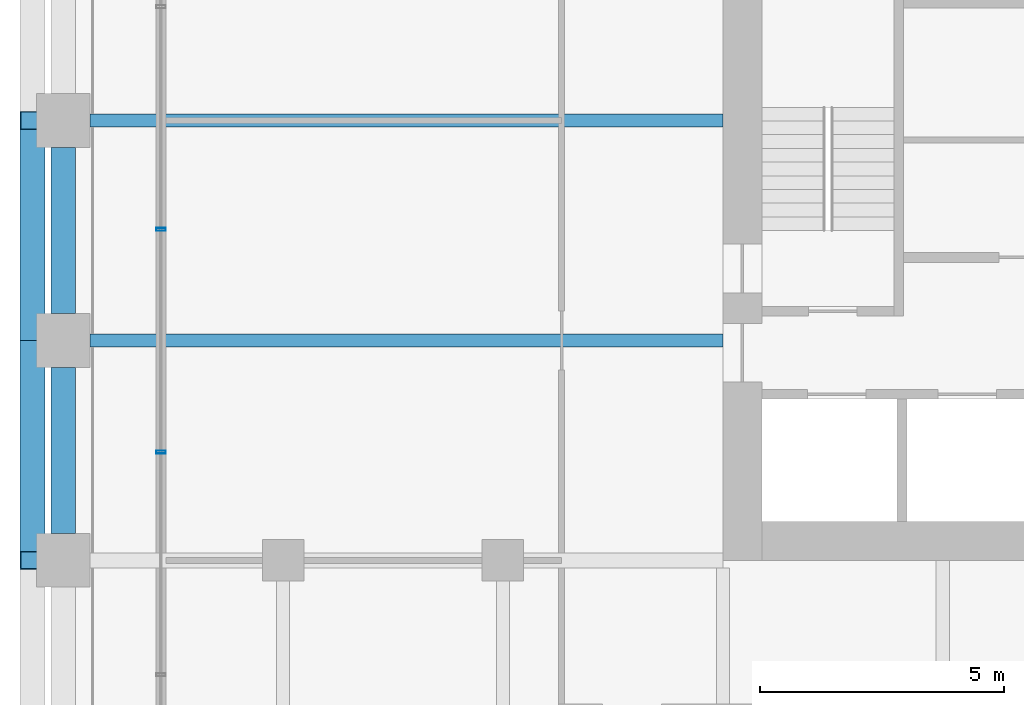
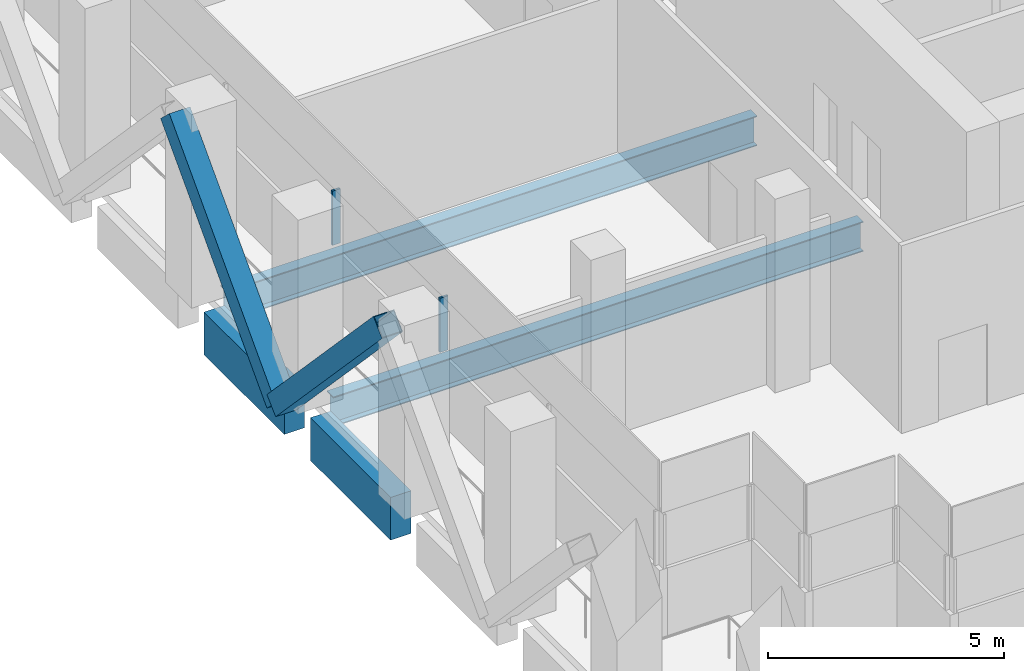
# One storey, part 8 of 44: 4 beams, 4 members, 1 element without a shape of its own.
"""IFC4 building model written with IfcOpenShell, lengths in metres."""

from ifc_helpers import new_model, si_unit, direction, frame, origin, origin_2d, place, context, subcontext, project, spatial, rectangle, hollow_rectangle, i_section, extrude, material, material_profile, profile_set, type_object, element, aggregate, save


model = new_model("IFC4")

# Units and contexts
model_context = context("Model", 3, precision=1e-05, world=origin(), true_north=direction((0.0, 1.0)))
body_context = subcontext(model_context, "Body", "Model", "MODEL_VIEW")
ifc_project = project(units=[si_unit("LENGTHUNIT", "METRE"), si_unit("AREAUNIT", "SQUARE_METRE"), si_unit("VOLUMEUNIT", "CUBIC_METRE"), si_unit("PLANEANGLEUNIT", "RADIAN"), si_unit("MASSUNIT", "GRAM", prefix="KILO")], contexts=[model_context])

# Site, building, storey
site_placement = place(None, origin())
site = spatial("IfcSite", under=ifc_project, at=site_placement, CompositionType="ELEMENT")
building_placement = place(site_placement, origin())
building = spatial("IfcBuilding", under=site, at=building_placement, Name="Altepetl Exchange Towers", CompositionType="ELEMENT")
storey_placement = place(building_placement, frame((0.0, 0.0, 87.0)))
storey = spatial("IfcBuildingStorey", under=building, at=storey_placement, Name="L21 Refuge", CompositionType="ELEMENT", Elevation=87.0)

# Members
ifc_material_1 = material(Name="Steel S355", Category="steel")
ifc_material_profile_1 = material_profile(ifc_material_1, hollow_rectangle(XDim=0.508056640625, YDim=0.508056640625, WallThickness=0.017578125, at=origin_2d()), Name="HSS508X508X19.0")
ifc_profile_set_1 = profile_set([ifc_material_profile_1], Name="Steel S355")
member_type_1 = type_object("IfcMemberType", Name="Belt diagonal HSS508X508X19.0", PredefinedType="BRACE", material=ifc_profile_set_1)
for number, where, z_axis, x_axis, name in (
    (1, (26.3701171875, 49.5, 4.75), (0.0, -0.687744647911, -0.725952683906), (1.0, 0.0, 0.0), "brc:A:L21:025"),
    (2, (26.3701171875, 45.0, 0.0), (0.0, -0.687744647911, 0.725952683906), (1.0, 0.0, 0.0), "brc:A:L21:026"),
):
    element("IfcMember", number, at=place(storey_placement, frame(where, z_axis=z_axis, x_axis=x_axis)), inside=storey, type_object=member_type_1, Name=name, PredefinedType="BRACE", context=body_context, shape_type="SweptSolid", body=[
        extrude(hollow_rectangle(XDim=0.508056640625, YDim=0.508056640625, WallThickness=0.017578125, at=origin_2d()), origin(), (0.0, 0.0, 1.0), 6.543212890625),
    ])

# Beams
ifc_material_profile_2 = material_profile(ifc_material_1, i_section(OverallWidth=0.26806640625, OverallDepth=0.77392578125, WebThickness=0.015380859375, FlangeThickness=0.025390625, at=origin_2d()), Name="W30X132")
ifc_profile_set_2 = profile_set([ifc_material_profile_2], Name="Steel S355")
beam_type_1 = type_object("IfcBeamType", Name="Floor beam W30X132", PredefinedType="BEAM", material=ifc_profile_set_2)
for number, where, z_axis, x_axis, name in (
    (3, (27.550048828125, 45.0, -0.5869140625), (1.0, 0.0, 0.0), (0.0, 1.0, 0.0), "bm:A:L21:018"),
    (4, (27.550048828125, 49.5, -0.5869140625), (1.0, 0.0, 0.0), (0.0, 1.0, 0.0), "bm:A:L21:019"),
):
    element("IfcBeam", number, at=place(storey_placement, frame(where, z_axis=z_axis, x_axis=x_axis)), inside=storey, type_object=beam_type_1, Name=name, PredefinedType="BEAM", context=body_context, shape_type="SweptSolid", body=[
        extrude(i_section(OverallWidth=0.26806640625, OverallDepth=0.77392578125, WebThickness=0.015380859375, FlangeThickness=0.025390625, at=origin_2d()), origin(), (0.0, 0.0, 1.0), 12.949951171875),
    ])

# Curtain wall, members
ifc_material_2 = material(Name="Aluminium 6063-T6 glazing", Category="aluminium")
curtain_wall_type = type_object("IfcCurtainWallType", Name="Refuge slit glazing system", PredefinedType="NOTDEFINED", material=ifc_material_2)
curtain_wall_placement = place(storey_placement, origin())
curtain_wall = element("IfcCurtainWall", 5, at=curtain_wall_placement, inside=storey, type_object=curtain_wall_type, Name="CW3 run", PredefinedType="NOTDEFINED")
ifc_material_3 = material(Name="Aluminium 6063-T6", Category="aluminium")
ifc_material_profile_3 = material_profile(ifc_material_3, hollow_rectangle(XDim=0.06005859375, YDim=0.199951171875, WallThickness=0.0029296875, at=origin_2d()), Name="Mullion 60x200 aluminium")
ifc_profile_set_3 = profile_set([ifc_material_profile_3], Name="Aluminium 6063-T6")
member_type_2 = type_object("IfcMemberType", Name="Mullion 60x200 aluminium", PredefinedType="MULLION", material=ifc_profile_set_3)
member_1_placement = place(storey_placement, frame((29.0, 47.271484375, 1.800048828125), z_axis=(0.0, 0.0, 1.0), x_axis=(0.0, -1.0, 0.0)))
member_1 = element("IfcMember", 6, at=member_1_placement, type_object=member_type_2, Name="MU2 mullion", PredefinedType="MULLION", context=body_context, shape_type="SweptSolid", body=[
    extrude(hollow_rectangle(XDim=0.06005859375, YDim=0.199951171875, WallThickness=0.0029296875, at=origin_2d()), origin(), (0.0, 0.0, 1.0), 1.39990234375),
])
member_2_placement = place(storey_placement, frame((29.0, 42.71435546875, 1.800048828125), z_axis=(0.0, 0.0, 1.0), x_axis=(0.0, -1.0, 0.0)))
member_2 = element("IfcMember", 7, at=member_2_placement, type_object=member_type_2, Name="MU2 mullion", PredefinedType="MULLION", context=body_context, shape_type="SweptSolid", body=[
    extrude(hollow_rectangle(XDim=0.06005859375, YDim=0.199951171875, WallThickness=0.0029296875, at=origin_2d()), origin(), (0.0, 0.0, 1.0), 1.39990234375),
])
aggregate(curtain_wall, [member_1, member_2])

# Beams
ifc_material_4 = material(Name="Concrete C50/60 precast with tezontle facing", Category="concrete")
ifc_material_profile_4 = material_profile(ifc_material_4, rectangle(XDim=0.5, YDim=1.10009765625, at=origin_2d()), Name="500 x 1100")
ifc_profile_set_4 = profile_set([ifc_material_profile_4], Name="Concrete C50/60 precast with tezontle facing")
beam_type_2 = type_object("IfcBeamType", Name="Spandrel beam 500x1100 tezontle", PredefinedType="SPANDREL", material=ifc_profile_set_4)
for number, where, z_axis, x_axis, name in (
    (8, (27.0, 48.949951171875, -0.75), (0.0, -1.0, 0.0), (1.0, 0.0, 0.0), "sp:A:L21:040"),
    (9, (27.0, 44.449951171875, -0.75), (0.0, -1.0, 0.0), (1.0, 0.0, 0.0), "sp:A:L21:041"),
):
    element("IfcBeam", number, at=place(storey_placement, frame(where, z_axis=z_axis, x_axis=x_axis)), inside=storey, type_object=beam_type_2, Name=name, PredefinedType="SPANDREL", context=body_context, shape_type="SweptSolid", body=[
        extrude(rectangle(XDim=0.5, YDim=1.10009765625, at=origin_2d()), origin(), (0.0, 0.0, 1.0), 3.39990234375),
    ])

save(model, "model.ifc")
